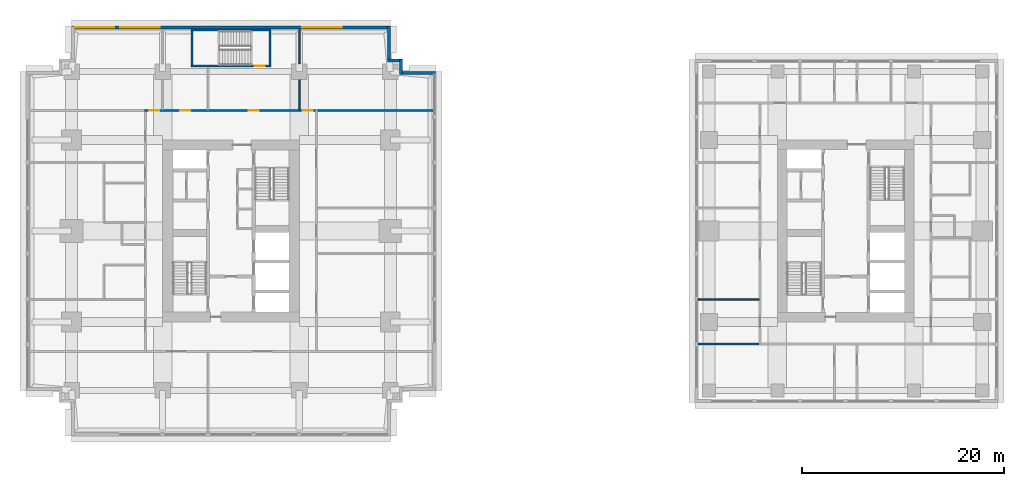
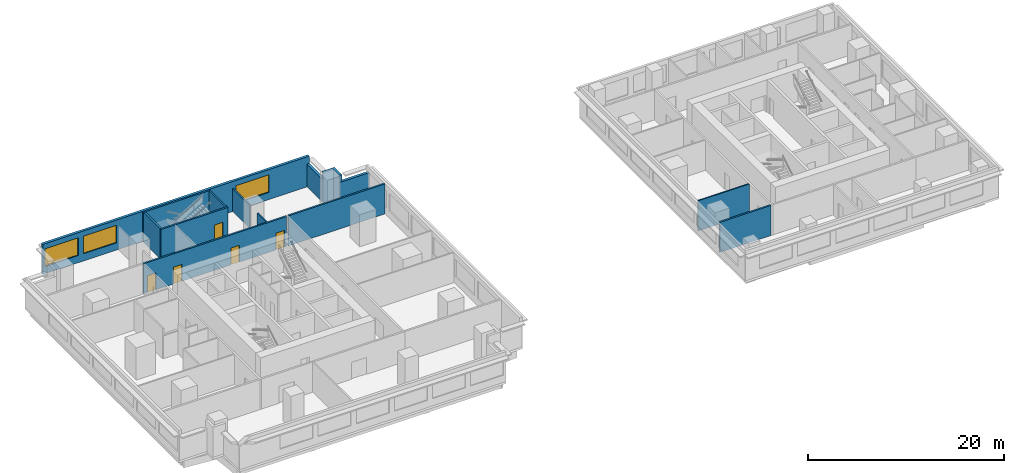
# One storey, part 5 of 11: 15 walls, 5 doors, 3 windows, 8 openings.
"""IFC4 building model written with IfcOpenShell, lengths in metres."""

from ifc_helpers import new_model, si_unit, direction, frame, frame_2d, origin, place, context, subcontext, project, spatial, rectangle, extrude, material, layer, layer_set, type_object, element, fill, save


model = new_model("IFC4")

# Units and contexts
model_context = context("Model", 3, precision=1e-05, world=origin(), true_north=direction((0.0, 1.0)))
body_context = subcontext(model_context, "Body", "Model", "MODEL_VIEW")
ifc_project = project(units=[si_unit("LENGTHUNIT", "METRE"), si_unit("AREAUNIT", "SQUARE_METRE"), si_unit("VOLUMEUNIT", "CUBIC_METRE"), si_unit("PLANEANGLEUNIT", "RADIAN"), si_unit("MASSUNIT", "GRAM", prefix="KILO")], contexts=[model_context])

# Site, building, storey
site_placement = place(None, origin())
site = spatial("IfcSite", under=ifc_project, at=site_placement, CompositionType="ELEMENT")
building_placement = place(site_placement, origin())
building = spatial("IfcBuilding", under=site, at=building_placement, Name="Namib Vertical Campus", CompositionType="ELEMENT")
storey_placement = place(building_placement, frame((0.0, 0.0, 217.0)))
storey = spatial("IfcBuildingStorey", under=building, at=storey_placement, Name="L51", CompositionType="ELEMENT", Elevation=217.0)

# Wall, openings, doors
ifc_material_1 = material(Name="Concrete masonry", Category="masonry")
ifc_layer_1 = layer(ifc_material_1, 0.199951171875)
ifc_layer_set_1 = layer_set([ifc_layer_1], Name="Corridor wall 200")
wall_type_1 = type_object("IfcWallType", Name="Corridor wall 200", PredefinedType="SOLIDWALL", material=ifc_layer_set_1)
wall_1_placement = place(storey_placement, frame((28.60009765625, 32.14990234375, 0.0), z_axis=(0.0, 0.0, 1.0), x_axis=(-1.0, 0.0, 0.0)))
wall_1 = element("IfcWall", 1, at=wall_1_placement, inside=storey, type_object=wall_type_1, Name="Corridor wall A L51 CN", PredefinedType="SOLIDWALL", context=body_context, shape_type="SweptSolid", body=[
    extrude(rectangle(XDim=16.900146484375, YDim=0.199951171875, at=frame_2d((8.4501953125, 0.0))), origin(), (0.0, 0.0, 1.0), 3.75),
])
opening_1_placement = place(wall_1_placement, frame((15.425048828125, 0.0, 0.0)))
opening_1 = element("IfcOpeningElement", 2, at=opening_1_placement, cuts=wall_1, Name="Opening CD1", PredefinedType="OPENING", context=body_context, shape_type="SweptSolid", body=[
    extrude(rectangle(XDim=1.0, YDim=2.10009765625, at=frame_2d((0.5, 1.050048828125))), frame((0.0, 0.10986328125, 0.0), z_axis=(0.0, -1.0, 0.0), x_axis=(1.0, 0.0, 0.0)), (0.0, 0.0, 1.0), 0.219970703125),
])
opening_2_placement = place(wall_1_placement, frame((12.35009765625, 0.0, 0.0)))
opening_2 = element("IfcOpeningElement", 3, at=opening_2_placement, cuts=wall_1, Name="Opening CD1", PredefinedType="OPENING", context=body_context, shape_type="SweptSolid", body=[
    extrude(rectangle(XDim=1.0, YDim=2.10009765625, at=frame_2d((0.5, 1.050048828125))), frame((0.0, 0.10986328125, 0.0), z_axis=(0.0, -1.0, 0.0), x_axis=(1.0, 0.0, 0.0)), (0.0, 0.0, 1.0), 0.219970703125),
])
opening_3_placement = place(wall_1_placement, frame((5.60009765625, 0.0, 0.0)))
opening_3 = element("IfcOpeningElement", 4, at=opening_3_placement, cuts=wall_1, Name="Opening CD1", PredefinedType="OPENING", context=body_context, shape_type="SweptSolid", body=[
    extrude(rectangle(XDim=1.0, YDim=2.10009765625, at=frame_2d((0.5, 1.050048828125))), frame((0.0, 0.10986328125, 0.0), z_axis=(0.0, -1.0, 0.0), x_axis=(1.0, 0.0, 0.0)), (0.0, 0.0, 1.0), 0.219970703125),
])
opening_4_placement = place(wall_1_placement, frame((0.27490234375, 0.0, 0.0)))
opening_4 = element("IfcOpeningElement", 5, at=opening_4_placement, cuts=wall_1, Name="Opening CD1", PredefinedType="OPENING", context=body_context, shape_type="SweptSolid", body=[
    extrude(rectangle(XDim=1.0, YDim=2.10009765625, at=frame_2d((0.5, 1.050048828125))), frame((0.0, 0.10986328125, 0.0), z_axis=(0.0, -1.0, 0.0), x_axis=(1.0, 0.0, 0.0)), (0.0, 0.0, 1.0), 0.219970703125),
])
ifc_material_2 = material(Name="Timber fire door leaf", Category="wood")
door_type_1 = type_object("IfcDoorType", Name="Corridor door 1000x2100 20 min", OperationType="SINGLE_SWING_LEFT", PredefinedType="DOOR", material=ifc_material_2)
door_1_placement = place(opening_1_placement, frame((1.0, 0.0, 0.0), z_axis=(0.0, 0.0, 1.0), x_axis=(-1.0, 0.0, 0.0)))
door_1 = element("IfcDoor", 6, at=door_1_placement, inside=storey, type_object=door_type_1, Name="Door CD1 A51-06", OperationType="SINGLE_SWING_RIGHT", OverallHeight=2.10009765625, OverallWidth=1.0, PredefinedType="DOOR", context=body_context, shape_type="SweptSolid", body=[
    extrude(rectangle(XDim=1.0, YDim=2.10009765625, at=frame_2d((0.5, 1.050048828125))), frame((0.0, 0.02490234375, 0.0), z_axis=(0.0, -1.0, 0.0), x_axis=(1.0, 0.0, 0.0)), (0.0, 0.0, 1.0), 0.050048828125),
])
fill(opening_1, door_1)
door_2_placement = place(opening_2_placement, frame((1.0, 0.0, 0.0), z_axis=(0.0, 0.0, 1.0), x_axis=(-1.0, 0.0, 0.0)))
door_2 = element("IfcDoor", 7, at=door_2_placement, inside=storey, type_object=door_type_1, Name="Door CD1 A51-07", OperationType="SINGLE_SWING_RIGHT", OverallHeight=2.10009765625, OverallWidth=1.0, PredefinedType="DOOR", context=body_context, shape_type="SweptSolid", body=[
    extrude(rectangle(XDim=1.0, YDim=2.10009765625, at=frame_2d((0.5, 1.050048828125))), frame((0.0, 0.02490234375, 0.0), z_axis=(0.0, -1.0, 0.0), x_axis=(1.0, 0.0, 0.0)), (0.0, 0.0, 1.0), 0.050048828125),
])
fill(opening_2, door_2)
door_3_placement = place(opening_3_placement, frame((1.0, 0.0, 0.0), z_axis=(0.0, 0.0, 1.0), x_axis=(-1.0, 0.0, 0.0)))
door_3 = element("IfcDoor", 8, at=door_3_placement, inside=storey, type_object=door_type_1, Name="Door CD1 A51-08", OperationType="SINGLE_SWING_RIGHT", OverallHeight=2.10009765625, OverallWidth=1.0, PredefinedType="DOOR", context=body_context, shape_type="SweptSolid", body=[
    extrude(rectangle(XDim=1.0, YDim=2.10009765625, at=frame_2d((0.5, 1.050048828125))), frame((0.0, 0.02490234375, 0.0), z_axis=(0.0, -1.0, 0.0), x_axis=(1.0, 0.0, 0.0)), (0.0, 0.0, 1.0), 0.050048828125),
])
fill(opening_3, door_3)
door_4_placement = place(opening_4_placement, frame((1.0, 0.0, 0.0), z_axis=(0.0, 0.0, 1.0), x_axis=(-1.0, 0.0, 0.0)))
door_4 = element("IfcDoor", 9, at=door_4_placement, inside=storey, type_object=door_type_1, Name="Door CD1 A51-09", OperationType="SINGLE_SWING_LEFT", OverallHeight=2.10009765625, OverallWidth=1.0, PredefinedType="DOOR", context=body_context, shape_type="SweptSolid", body=[
    extrude(rectangle(XDim=1.0, YDim=2.10009765625, at=frame_2d((0.5, 1.050048828125))), frame((0.0, 0.02490234375, 0.0), z_axis=(0.0, -1.0, 0.0), x_axis=(1.0, 0.0, 0.0)), (0.0, 0.0, 1.0), 0.050048828125),
])
fill(opening_4, door_4)

# Walls
wall_2_placement = place(storey_placement, frame((28.800048828125, 32.14990234375, 0.0), z_axis=(0.0, 0.0, 1.0), x_axis=(1.0, 0.0, 0.0)))
element("IfcWall", 10, at=wall_2_placement, inside=storey, type_object=wall_type_1, Name="Partition A L51 BNE", PredefinedType="SOLIDWALL", context=body_context, shape_type="SweptSolid", body=[
    extrude(rectangle(XDim=11.39990234375, YDim=0.199951171875, at=frame_2d((5.699951171875, 0.0))), origin(), (0.0, 0.0, 1.0), 3.75),
])
wall_3_placement = place(storey_placement, frame((66.39990234375, 9.10009765625, 0.0), z_axis=(0.0, 0.0, 1.0), x_axis=(1.0, 0.0, 0.0)))
element("IfcWall", 11, at=wall_3_placement, inside=storey, type_object=wall_type_1, Name="Partition B L51 BSW", PredefinedType="SOLIDWALL", context=body_context, shape_type="SweptSolid", body=[
    extrude(rectangle(XDim=6.050048828125, YDim=0.199951171875, at=frame_2d((3.02490234375, 0.0))), origin(), (0.0, 0.0, 1.0), 3.75),
])
ifc_material_3 = material(Name="Concrete C40/50", Category="concrete")
ifc_layer_2 = layer(ifc_material_3, 0.300048828125)
ifc_layer_set_2 = layer_set([ifc_layer_2], Name="Concrete C40/50")
wall_type_2 = type_object("IfcWallType", Name="External wall 300 board-marked concrete", PredefinedType="STANDARD", material=ifc_layer_set_2)
wall_4_placement = place(storey_placement, frame((40.47998046875, 35.85009765625, 0.0), z_axis=(0.0, 0.0, 1.0), x_axis=(-1.0, 0.0, 0.0)))
element("IfcWall", 12, at=wall_4_placement, inside=storey, type_object=wall_type_2, Name="External wall L51 F07", PredefinedType="STANDARD", context=body_context, shape_type="SweptSolid", body=[
    extrude(rectangle(XDim=3.534912109375, YDim=0.300048828125, at=frame_2d((1.767578125, 0.0))), origin(), (0.0, 0.0, 1.0), 2.85009765625),
])
for number, where, z_axis, x_axis, name in (
    (13, (37.074951171875, 35.719970703125, 0.0), (0.0, 0.0, 1.0), (0.0, 1.0, 0.0), "External wall L51 F08"),
    (14, (37.205078125, 37.074951171875, 0.0), (0.0, 0.0, 1.0), (-1.0, 0.0, 0.0), "External wall L51 F09"),
):
    element("IfcWall", number, at=place(storey_placement, frame(where, z_axis=z_axis, x_axis=x_axis)), inside=storey, type_object=wall_type_2, Name=name, PredefinedType="STANDARD", context=body_context, shape_type="SweptSolid", body=[
        extrude(rectangle(XDim=1.485107421875, YDim=0.300048828125, at=frame_2d((0.74267578125, 0.0))), origin(), (0.0, 0.0, 1.0), 3.75),
    ])
wall_5_placement = place(storey_placement, frame((35.85009765625, 36.945068359375, 0.0), z_axis=(0.0, 0.0, 1.0), x_axis=(0.0, 1.0, 0.0)))
element("IfcWall", 15, at=wall_5_placement, inside=storey, type_object=wall_type_2, Name="External wall L51 F10", PredefinedType="STANDARD", context=body_context, shape_type="SweptSolid", body=[
    extrude(rectangle(XDim=3.534912109375, YDim=0.300048828125, at=frame_2d((1.767578125, 0.0))), origin(), (0.0, 0.0, 1.0), 2.85009765625),
])

# Wall, openings, windows
wall_6_placement = place(storey_placement, frame((35.97998046875, 40.35009765625, 0.0), z_axis=(0.0, 0.0, 1.0), x_axis=(-1.0, 0.0, 0.0)))
wall_6 = element("IfcWall", 16, at=wall_6_placement, inside=storey, type_object=wall_type_2, Name="External wall L51 F11", PredefinedType="STANDARD", context=body_context, shape_type="SweptSolid", body=[
    extrude(rectangle(XDim=31.4599609375, YDim=0.300048828125, at=frame_2d((15.72998046875, 0.0))), origin(), (0.0, 0.0, 1.0), 3.75),
])
opening_5_placement = place(wall_6_placement, frame((27.280029296875, 0.0, 0.89990234375)))
opening_5 = element("IfcOpeningElement", 17, at=opening_5_placement, cuts=wall_6, Name="Opening W1", PredefinedType="OPENING", context=body_context, shape_type="SweptSolid", body=[
    extrude(rectangle(XDim=3.89990234375, YDim=2.199951171875, at=frame_2d((1.949951171875, 1.10009765625))), frame((0.0, 0.159912109375, 0.0), z_axis=(0.0, -1.0, 0.0), x_axis=(1.0, 0.0, 0.0)), (0.0, 0.0, 1.0), 0.320068359375),
])
opening_6_placement = place(wall_6_placement, frame((22.780029296875, 0.0, 0.89990234375)))
opening_6 = element("IfcOpeningElement", 18, at=opening_6_placement, cuts=wall_6, Name="Opening W1", PredefinedType="OPENING", context=body_context, shape_type="SweptSolid", body=[
    extrude(rectangle(XDim=3.89990234375, YDim=2.199951171875, at=frame_2d((1.949951171875, 1.10009765625))), frame((0.0, 0.159912109375, 0.0), z_axis=(0.0, -1.0, 0.0), x_axis=(1.0, 0.0, 0.0)), (0.0, 0.0, 1.0), 0.320068359375),
])
opening_7_placement = place(wall_6_placement, frame((4.780029296875, 0.0, 0.89990234375)))
opening_7 = element("IfcOpeningElement", 19, at=opening_7_placement, cuts=wall_6, Name="Opening W1", PredefinedType="OPENING", context=body_context, shape_type="SweptSolid", body=[
    extrude(rectangle(XDim=3.89990234375, YDim=2.199951171875, at=frame_2d((1.949951171875, 1.10009765625))), frame((0.0, 0.159912109375, 0.0), z_axis=(0.0, -1.0, 0.0), x_axis=(1.0, 0.0, 0.0)), (0.0, 0.0, 1.0), 0.320068359375),
])
ifc_material_4 = material(Name="Dark tinted glass in black aluminium frame", Category="aluminium")
window_type = type_object("IfcWindowType", Name="Ribbon window 3900x2200", PartitioningType="SINGLE_PANEL", PredefinedType="WINDOW", material=ifc_material_4)
window_1_placement = place(opening_5_placement, origin())
window_1 = element("IfcWindow", 20, at=window_1_placement, inside=storey, type_object=window_type, Name="Window W1 L51 F11-1", OverallHeight=2.199951171875, OverallWidth=3.89990234375, PartitioningType="SINGLE_PANEL", PredefinedType="WINDOW", context=body_context, shape_type="SweptSolid", body=[
    extrude(rectangle(XDim=3.89990234375, YDim=2.199951171875, at=frame_2d((1.949951171875, 1.10009765625))), frame((0.0, 0.030029296875, 0.0), z_axis=(0.0, -1.0, 0.0), x_axis=(1.0, 0.0, 0.0)), (0.0, 0.0, 1.0), 0.06005859375),
])
fill(opening_5, window_1)
window_2_placement = place(opening_6_placement, origin())
window_2 = element("IfcWindow", 21, at=window_2_placement, inside=storey, type_object=window_type, Name="Window W1 L51 F11-2", OverallHeight=2.199951171875, OverallWidth=3.89990234375, PartitioningType="SINGLE_PANEL", PredefinedType="WINDOW", context=body_context, shape_type="SweptSolid", body=[
    extrude(rectangle(XDim=3.89990234375, YDim=2.199951171875, at=frame_2d((1.949951171875, 1.10009765625))), frame((0.0, 0.030029296875, 0.0), z_axis=(0.0, -1.0, 0.0), x_axis=(1.0, 0.0, 0.0)), (0.0, 0.0, 1.0), 0.06005859375),
])
fill(opening_6, window_2)
window_3_placement = place(opening_7_placement, origin())
window_3 = element("IfcWindow", 22, at=window_3_placement, inside=storey, type_object=window_type, Name="Window W1 L51 F11-6", OverallHeight=2.199951171875, OverallWidth=3.89990234375, PartitioningType="SINGLE_PANEL", PredefinedType="WINDOW", context=body_context, shape_type="SweptSolid", body=[
    extrude(rectangle(XDim=3.89990234375, YDim=2.199951171875, at=frame_2d((1.949951171875, 1.10009765625))), frame((0.0, 0.030029296875, 0.0), z_axis=(0.0, -1.0, 0.0), x_axis=(1.0, 0.0, 0.0)), (0.0, 0.0, 1.0), 0.06005859375),
])
fill(opening_7, window_3)

# Walls
ifc_material_5 = material(Name="Gypsum board on steel studs", Category="steel")
ifc_layer_3 = layer(ifc_material_5, 0.14990234375)
ifc_layer_set_3 = layer_set([ifc_layer_3], Name="Gypsum board on steel studs")
wall_type_3 = type_object("IfcWallType", Name="Partition 150", PredefinedType="PARTITIONING", material=ifc_layer_set_3)
wall_7_placement = place(storey_placement, frame((27.0, 32.25, 0.0), z_axis=(0.0, 0.0, 1.0), x_axis=(0.0, 1.0, 0.0)))
element("IfcWall", 23, at=wall_7_placement, inside=storey, type_object=wall_type_3, Name="Partition A L51 PN3", PredefinedType="PARTITIONING", context=body_context, shape_type="SweptSolid", body=[
    extrude(rectangle(XDim=2.955078125, YDim=0.14990234375, at=frame_2d((1.4775390625, 0.0))), origin(), (0.0, 0.0, 1.0), 2.85009765625),
])
wall_8_placement = place(storey_placement, frame((27.0, 36.794921875, 0.0), z_axis=(0.0, 0.0, 1.0), x_axis=(0.0, 1.0, 0.0)))
element("IfcWall", 24, at=wall_8_placement, inside=storey, type_object=wall_type_3, Name="Partition A L51 PN3", PredefinedType="PARTITIONING", context=body_context, shape_type="SweptSolid", body=[
    extrude(rectangle(XDim=3.405029296875, YDim=0.14990234375, at=frame_2d((1.70263671875, 0.0))), origin(), (0.0, 0.0, 1.0), 2.85009765625),
])
wall_9_placement = place(storey_placement, frame((66.39990234375, 13.5, 0.0), z_axis=(0.0, 0.0, 1.0), x_axis=(1.0, 0.0, 0.0)))
element("IfcWall", 25, at=wall_9_placement, inside=storey, type_object=wall_type_3, Name="Partition B L51 PW1", PredefinedType="PARTITIONING", context=body_context, shape_type="SweptSolid", body=[
    extrude(rectangle(XDim=6.050048828125, YDim=0.14990234375, at=frame_2d((3.02490234375, 0.0))), origin(), (0.0, 0.0, 1.0), 3.75),
])

# Wall, opening, door
ifc_material_6 = material(Name="Concrete C40/50", Category="concrete")
ifc_layer_4 = layer(ifc_material_6, 0.199951171875)
ifc_layer_set_4 = layer_set([ifc_layer_4], Name="Concrete C40/50")
wall_type_4 = type_object("IfcWallType", Name="Stair enclosure wall RC 200", PredefinedType="SOLIDWALL", material=ifc_layer_set_4)
wall_10_placement = place(storey_placement, frame((16.300048828125, 36.550048828125, 0.0), z_axis=(0.0, 0.0, 1.0), x_axis=(1.0, 0.0, 0.0)))
wall_10 = element("IfcWall", 26, at=wall_10_placement, inside=storey, type_object=wall_type_4, Name="Stair enclosure wall A-S3 L51 S", PredefinedType="SOLIDWALL", context=body_context, shape_type="SweptSolid", body=[
    extrude(rectangle(XDim=7.89990234375, YDim=0.199951171875, at=frame_2d((3.949951171875, 0.0))), origin(), (0.0, 0.0, 1.0), 3.75),
])
opening_8_placement = place(wall_10_placement, frame((6.300048828125, 0.0, 0.0)))
opening_8 = element("IfcOpeningElement", 27, at=opening_8_placement, cuts=wall_10, Name="Opening FD1", PredefinedType="OPENING", context=body_context, shape_type="SweptSolid", body=[
    extrude(rectangle(XDim=1.0, YDim=2.10009765625, at=frame_2d((0.5, 1.050048828125))), frame((0.0, 0.10986328125, 0.0), z_axis=(0.0, -1.0, 0.0), x_axis=(1.0, 0.0, 0.0)), (0.0, 0.0, 1.0), 0.219970703125),
])
ifc_material_7 = material(Name="Steel fire door", Category="steel")
door_type_2 = type_object("IfcDoorType", Name="Fire door 1000x2100", OperationType="SINGLE_SWING_RIGHT", PredefinedType="DOOR", material=ifc_material_7)
door_5_placement = place(opening_8_placement, origin())
door_5 = element("IfcDoor", 28, at=door_5_placement, inside=storey, type_object=door_type_2, Name="Stair door FD1 A L51 S3", OperationType="SINGLE_SWING_RIGHT", OverallHeight=2.10009765625, OverallWidth=1.0, PredefinedType="DOOR", context=body_context, shape_type="SweptSolid", body=[
    extrude(rectangle(XDim=1.0, YDim=2.10009765625, at=frame_2d((0.5, 1.050048828125))), frame((0.0, 0.02490234375, 0.0), z_axis=(0.0, -1.0, 0.0), x_axis=(1.0, 0.0, 0.0)), (0.0, 0.0, 1.0), 0.050048828125),
])
fill(opening_8, door_5)

# Walls
wall_11_placement = place(storey_placement, frame((16.300048828125, 40.10009765625, 0.0), z_axis=(0.0, 0.0, 1.0), x_axis=(1.0, 0.0, 0.0)))
element("IfcWall", 29, at=wall_11_placement, inside=storey, type_object=wall_type_4, Name="Stair enclosure wall A-S3 L51 N", PredefinedType="SOLIDWALL", context=body_context, shape_type="SweptSolid", body=[
    extrude(rectangle(XDim=7.89990234375, YDim=0.199951171875, at=frame_2d((3.949951171875, 0.0))), origin(), (0.0, 0.0, 1.0), 3.75),
])
for number, where, z_axis, x_axis, name in (
    (30, (16.39990234375, 36.64990234375, 0.0), (0.0, 0.0, 1.0), (0.0, 1.0, 0.0), "Stair enclosure wall A-S3 L51 W"),
    (31, (24.10009765625, 36.64990234375, 0.0), (0.0, 0.0, 1.0), (0.0, 1.0, 0.0), "Stair enclosure wall A-S3 L51 E"),
):
    element("IfcWall", number, at=place(storey_placement, frame(where, z_axis=z_axis, x_axis=x_axis)), inside=storey, type_object=wall_type_4, Name=name, PredefinedType="SOLIDWALL", context=body_context, shape_type="SweptSolid", body=[
        extrude(rectangle(XDim=3.35009765625, YDim=0.199951171875, at=frame_2d((1.675048828125, 0.0))), origin(), (0.0, 0.0, 1.0), 3.75),
    ])

save(model, "model.ifc")
